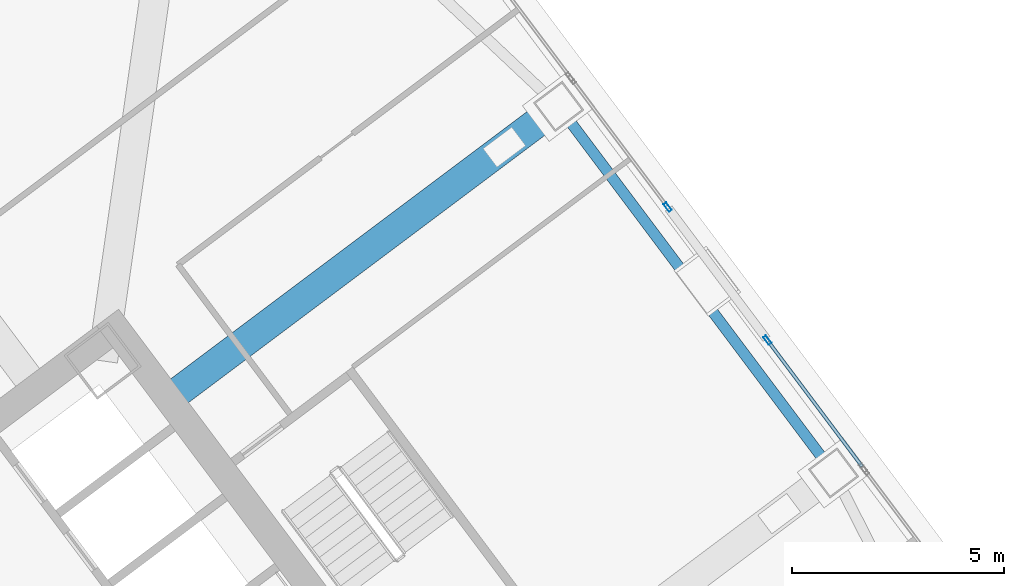
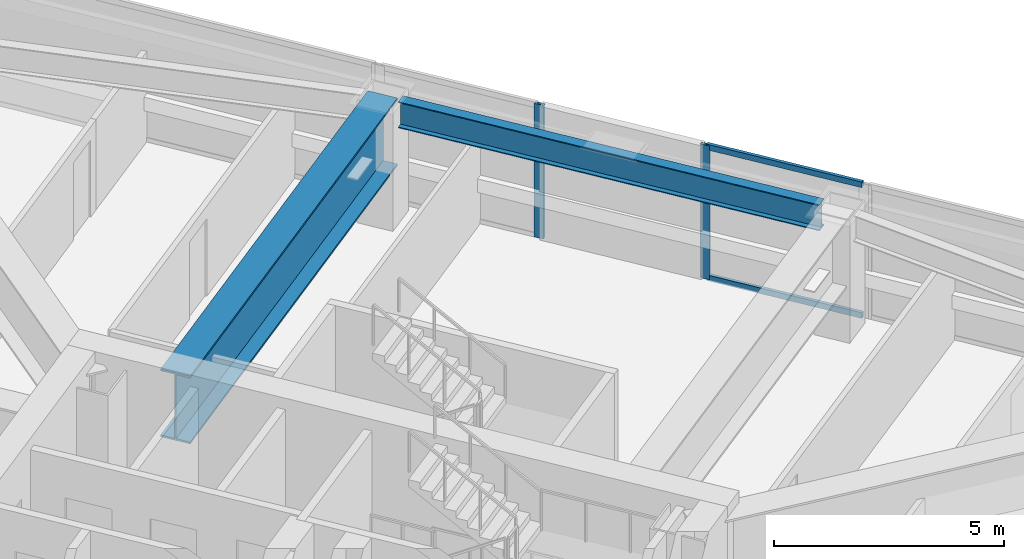
# One storey, part 32 of 49: 4 members, 2 beams, 2 elements without a shape of their own.
"""IFC4 building model written with IfcOpenShell, lengths in metres."""

import ifcopenshell
import ifcopenshell.guid

model = None  # the IFC model being written
_history = None  # IfcOwnerHistory: only IFC2X3 demands one
_inside = {}  # id of a spatial element -> (the spatial element, [elements in it])
_under = {}  # id of a project, library or spatial element -> (it, [spatial elements below it])
_declared = {}  # id of a project -> (the project, [libraries it declares])
_typed = {}  # id of a type object -> (the type object, [elements of that type])
_made_of = {}  # id of a material, layer set ... -> (it, [elements and type objects made of it])


def new_model(schema):
    """Start an empty IFC model of exactly this schema.

    Asked for "IFC4X3", IfcOpenShell would pick the latest addendum, in which some entities
    have other attributes; the version numbers below select the first issue.
    IFC2X3 requires an IfcOwnerHistory on every rooted entity: one is made here for all.
    """
    global model, _history
    if schema == "IFC4X3":
        model = ifcopenshell.file(schema_version=(4, 3, 0, 0))
    else:
        model = ifcopenshell.file(schema=schema)
    _inside.clear()
    _under.clear()
    _declared.clear()
    _typed.clear()
    _made_of.clear()
    _history = None
    if model.schema == "IFC2X3":
        org = make("IfcOrganization", Name="unknown")
        user = make(
            "IfcPersonAndOrganization",
            ThePerson=make("IfcPerson", FamilyName="unknown"),
            TheOrganization=org,
        )
        app = make(
            "IfcApplication",
            ApplicationDeveloper=org,
            Version="unknown",
            ApplicationFullName="unknown",
            ApplicationIdentifier="unknown",
        )
        _history = make(
            "IfcOwnerHistory",
            OwningUser=user,
            OwningApplication=app,
            ChangeAction="ADDED",
            CreationDate=0,
        )
    return model


def make(cls, **values):
    """One entity of the class cls with the attributes given. An attribute that is None is left unset."""
    return model.create_entity(
        cls, **{name: value for name, value in values.items() if value is not None}
    )


def rooted(cls, **values):
    """An entity with a GlobalId (a new one), such as an element, a storey or a relation."""
    return make(cls, GlobalId=ifcopenshell.guid.new(), OwnerHistory=_history, **values)


def si_unit(unit_type, name, prefix=None):
    """IfcSIUnit, for example si_unit("LENGTHUNIT", "METRE", prefix="MILLI")."""
    return make("IfcSIUnit", UnitType=unit_type, Prefix=prefix, Name=name)


def assignment(units):
    """IfcUnitAssignment: the units of a project."""
    return None if units is None else make("IfcUnitAssignment", Units=units)


def point(xyz):
    """IfcCartesianPoint."""
    return None if xyz is None else make("IfcCartesianPoint", Coordinates=xyz)


def direction(xyz):
    """IfcDirection."""
    return None if xyz is None else make("IfcDirection", DirectionRatios=xyz)


def frame(location, z_axis=None, x_axis=None):
    """IfcAxis2Placement3D, a coordinate frame: its origin and axes. An axis left out is left unset."""
    return make(
        "IfcAxis2Placement3D",
        Location=point(location),
        Axis=direction(z_axis),
        RefDirection=direction(x_axis),
    )


def frame_2d(location, x_axis=None):
    """IfcAxis2Placement2D, a coordinate frame in the plane: its origin and x axis."""
    return make(
        "IfcAxis2Placement2D", Location=point(location), RefDirection=direction(x_axis)
    )


def origin():
    """The frame at (0, 0, 0) with its axes left unset."""
    return frame((0.0, 0.0, 0.0))


def origin_2d():
    """The frame at (0, 0) in the plane with its x axis left unset."""
    return frame_2d((0.0, 0.0))


def place(relative_to, where):
    """IfcLocalPlacement: puts the frame where relative to a parent placement (None: the world)."""
    return make(
        "IfcLocalPlacement", PlacementRelTo=relative_to, RelativePlacement=where
    )


def context(
    kind, dimensions, precision=None, world=None, true_north=None, identifier=None
):
    """IfcGeometricRepresentationContext, for example the 3D "Model" context."""
    return make(
        "IfcGeometricRepresentationContext",
        ContextIdentifier=identifier,
        ContextType=kind,
        CoordinateSpaceDimension=dimensions,
        Precision=precision,
        WorldCoordinateSystem=world,
        TrueNorth=true_north,
    )


def subcontext(parent, identifier, kind, view, scale=None):
    """IfcGeometricRepresentationSubContext, for example "Body" below "Model"."""
    return make(
        "IfcGeometricRepresentationSubContext",
        ContextIdentifier=identifier,
        ContextType=kind,
        ParentContext=parent,
        TargetScale=scale,
        TargetView=view,
    )


def project(units=None, contexts=None):
    """IfcProject with its units and contexts."""
    return rooted(
        "IfcProject",
        Name="project",
        RepresentationContexts=contexts,
        UnitsInContext=assignment(units),
    )


def spatial(cls, under=None, at=None, **own):
    """A site, building, storey or space (cls), placed at a placement, below another one or the project."""
    s = rooted(cls, ObjectPlacement=at, **own)
    if under is not None:
        _under.setdefault(under.id(), (under, []))[1].append(s)
    return s


def profile(cls, at=None, kind="AREA", **sizes):
    """A parametric profile (cls). Its sizes go by their IFC names, for example OverallWidth=200.0."""
    return make(cls, ProfileType=kind, Position=at, **sizes)


def hollow_rectangle(**sizes):
    """IfcRectangleHollowProfileDef."""
    return profile("IfcRectangleHollowProfileDef", **sizes)


def i_section(**sizes):
    """IfcIShapeProfileDef."""
    return profile("IfcIShapeProfileDef", **sizes)


def extrude(swept, where, along, depth):
    """IfcExtrudedAreaSolid: the profile swept, set in the frame where, extruded along a direction by depth."""
    return make(
        "IfcExtrudedAreaSolid",
        SweptArea=swept,
        Position=where,
        ExtrudedDirection=direction(along),
        Depth=depth,
    )


def shape(context_of_items, identifier, shape_type, items):
    """IfcShapeRepresentation: the items that make up one representation, for example the "Body"."""
    return make(
        "IfcShapeRepresentation",
        ContextOfItems=context_of_items,
        RepresentationIdentifier=identifier,
        RepresentationType=shape_type,
        Items=items,
    )


def material(Name=None, Category=None):
    """IfcMaterial."""
    return make("IfcMaterial", Name=Name, Category=Category)


def material_profile(
    of_material, cross_section, Name=None, Category=None, Priority=None
):
    """IfcMaterialProfile: a cross section and its material."""
    return make(
        "IfcMaterialProfile",
        Name=Name,
        Material=of_material,
        Profile=cross_section,
        Priority=Priority,
        Category=Category,
    )


def profile_set(profiles, Name=None, composite=None):
    """IfcMaterialProfileSet."""
    return make(
        "IfcMaterialProfileSet",
        Name=Name,
        MaterialProfiles=profiles,
        CompositeProfile=composite,
    )


def made_of(thing, what):
    """Note that an element or type object is made of a material, layer set ...; save() writes the relation."""
    if what is not None:
        _made_of.setdefault(what.id(), (what, []))[1].append(thing)
    return thing


def type_object(cls, material=None, **own):
    """A type object (cls), such as IfcWallType, which elements share."""
    return made_of(rooted(cls, **own), material)


def element(
    cls,
    number,
    at=None,
    inside=None,
    cuts=None,
    type_object=None,
    material=None,
    context=None,
    identifier="Body",
    shape_type=None,
    held_by="IfcProductDefinitionShape",
    body=None,
    shapes=None,
    **own,
):
    """One element of the class cls, such as IfcWall. Its Tag is "e" and its number.

    at: its placement. inside: the storey or other place that contains it. cuts: it is an
    opening in that element (IfcRelVoidsElement). A single representation is given by context,
    identifier, shape_type and body (its items); several are given by shapes. held_by: the class
    of the entity that holds the representations. save() writes the other relations.
    """
    e = rooted(cls, Tag="e%d" % number, ObjectPlacement=at, **own)
    if body is not None:
        shapes = [shape(context, identifier, shape_type, body)]
    if shapes is not None:
        e.Representation = make(held_by, Representations=shapes)
    if inside is not None:
        _inside.setdefault(inside.id(), (inside, []))[1].append(e)
    if cuts is not None:
        rooted(
            "IfcRelVoidsElement", RelatingBuildingElement=cuts, RelatedOpeningElement=e
        )
    if type_object is not None:
        _typed.setdefault(type_object.id(), (type_object, []))[1].append(e)
    return made_of(e, material)


def aggregate(whole, parts):
    """IfcRelAggregates: a whole, such as a stair, and the parts it consists of."""
    return rooted("IfcRelAggregates", RelatingObject=whole, RelatedObjects=parts)


def save(model, path):
    """Write the relations noted so far, then the file.

    IfcRelAggregates (storeys below a building ...), IfcRelContainedInSpatialStructure (elements
    in a storey), IfcRelDefinesByType, IfcRelAssociatesMaterial and IfcRelDeclares: one each for
    every whole, place, type object, material and project.
    """
    for whole, parts in _under.values():
        aggregate(whole, parts)
    for where, things in _inside.values():
        rooted(
            "IfcRelContainedInSpatialStructure",
            RelatedElements=things,
            RelatingStructure=where,
        )
    for kind, things in _typed.values():
        rooted("IfcRelDefinesByType", RelatedObjects=things, RelatingType=kind)
    for what, things in _made_of.values():
        rooted("IfcRelAssociatesMaterial", RelatedObjects=things, RelatingMaterial=what)
    for by, libraries in _declared.values():
        rooted("IfcRelDeclares", RelatingContext=by, RelatedDefinitions=libraries)
    model.write(path)


model = new_model("IFC4")

# Units and contexts
model_context = context("Model", 3, precision=1e-05, world=origin(), true_north=direction((0.0, 1.0)))
body_context = subcontext(model_context, "Body", "Model", "MODEL_VIEW")
ifc_project = project(units=[si_unit("LENGTHUNIT", "METRE"), si_unit("AREAUNIT", "SQUARE_METRE"), si_unit("VOLUMEUNIT", "CUBIC_METRE"), si_unit("PLANEANGLEUNIT", "RADIAN"), si_unit("MASSUNIT", "GRAM", prefix="KILO")], contexts=[model_context])

# Site, building, storey
site_placement = place(None, origin())
site = spatial("IfcSite", under=ifc_project, at=site_placement, CompositionType="ELEMENT")
building_placement = place(site_placement, origin())
building = spatial("IfcBuilding", under=site, at=building_placement, Name="Tashvorn Skyway Center", CompositionType="ELEMENT")
storey_placement = place(building_placement, frame((0.0, 0.0, 106.25)))
storey = spatial("IfcBuildingStorey", under=building, at=storey_placement, Name="L28", CompositionType="ELEMENT", Elevation=106.25)

# Beams
ifc_material_1 = material(Name="Steel ASTM A572 Grade 50", Category="steel")
ifc_material_profile_1 = material_profile(ifc_material_1, i_section(OverallWidth=0.699951171875, OverallDepth=1.800048828125, WebThickness=0.031982421875, FlangeThickness=0.050048828125, at=origin_2d()), Name="PG1800x700")
ifc_profile_set_1 = profile_set([ifc_material_profile_1], Name="Steel ASTM A572 Grade 50")
beam_type_1 = type_object("IfcBeamType", Name="BM-BEAM-PG1800x700", PredefinedType="BEAM", material=ifc_profile_set_1)
beam_1_placement = place(storey_placement, frame((126.159912109375, 47.8701171875, 2.35009765625), z_axis=(-0.79999744579, -0.600003405598, 0.0), x_axis=(0.600003405598, -0.79999744579, 0.0)))
element("IfcBeam", 1, at=beam_1_placement, inside=storey, type_object=beam_type_1, Name="Tower 2 L28 Setback Transfer Girder FC-E2", PredefinedType="BEAM", context=body_context, shape_type="SweptSolid", body=[
    extrude(i_section(OverallWidth=0.699951171875, OverallDepth=1.800048828125, WebThickness=0.031982421875, FlangeThickness=0.050048828125, at=origin_2d()), origin(), (0.0, 0.0, 1.0), 11.469970703125),
])
ifc_material_2 = material(Name="Steel ASTM A992 Grade 50", Category="steel")
ifc_material_profile_2 = material_profile(ifc_material_2, i_section(OverallWidth=0.256103515625, OverallDepth=0.693115234375, WebThickness=0.014404296875, FlangeThickness=0.023681640625, at=origin_2d()), Name="W27X114")
ifc_profile_set_2 = profile_set([ifc_material_profile_2], Name="Steel ASTM A992 Grade 50")
beam_type_2 = type_object("IfcBeamType", Name="BM-SPANDREL-W27X114", PredefinedType="SPANDREL", material=ifc_profile_set_2)
beam_2_placement = place(storey_placement, frame((132.387939453125, 39.56591796875, 2.903564453125), z_axis=(-0.599988234018, 0.800008824351, 0.0), x_axis=(-0.800008824351, -0.599988234018, 0.0)))
element("IfcBeam", 2, at=beam_2_placement, inside=storey, type_object=beam_type_2, Name="Tower 2 L28 Spandrel Beam 05", PredefinedType="SPANDREL", context=body_context, shape_type="SweptSolid", body=[
    extrude(i_section(OverallWidth=0.256103515625, OverallDepth=0.693115234375, WebThickness=0.014404296875, FlangeThickness=0.023681640625, at=origin_2d()), origin(), (0.0, 0.0, 1.0), 9.9599609375),
])

# Curtain wall, member
ifc_material_3 = material(Name="Thermally broken bronze-anodized aluminium 6063-T6", Category="aluminium")
curtain_wall_type = type_object("IfcCurtainWallType", Name="CW-CW-Z2", PredefinedType="NOTDEFINED", material=ifc_material_3)
curtain_wall_1_placement = place(storey_placement, origin())
curtain_wall_1 = element("IfcCurtainWall", 3, at=curtain_wall_1_placement, inside=storey, type_object=curtain_wall_type, Name="Tower 2 L28 East Unitised Curtain Wall Glazing Group 2", PredefinedType="NOTDEFINED")
ifc_material_profile_3 = material_profile(ifc_material_3, hollow_rectangle(XDim=0.080078125, YDim=0.219970703125, WallThickness=0.0048828125, at=origin_2d()), Name="ALU-MULL-80x220")
ifc_profile_set_3 = profile_set([ifc_material_profile_3], Name="Thermally broken bronze-anodized aluminium 6063-T6")
member_type_1 = type_object("IfcMemberType", Name="CWM-CW-Z2", PredefinedType="MULLION", material=ifc_profile_set_3)
member_1_placement = place(storey_placement, frame((128.72802734375, 45.49609375, 0.0), z_axis=(0.0, 0.0, 1.0), x_axis=(0.799999999998, 0.600000000002, 0.0)))
member_1 = element("IfcMember", 4, at=member_1_placement, type_object=member_type_1, Name="CW-Z2 mullion 2", PredefinedType="MULLION", context=body_context, shape_type="SweptSolid", body=[
    extrude(hollow_rectangle(XDim=0.080078125, YDim=0.219970703125, WallThickness=0.0048828125, at=origin_2d()), origin(), (0.0, 0.0, 1.0), 3.550048828125),
])
aggregate(curtain_wall_1, [member_1])

# Curtain wall, members
curtain_wall_2_placement = place(storey_placement, origin())
curtain_wall_2 = element("IfcCurtainWall", 5, at=curtain_wall_2_placement, inside=storey, type_object=curtain_wall_type, Name="Tower 2 L28 East Unitised Curtain Wall Glazing Group 3", PredefinedType="NOTDEFINED")
member_2_placement = place(storey_placement, frame((131.080078125, 42.360107421875, 0.0), z_axis=(0.0, 0.0, 1.0), x_axis=(0.799999999998, 0.600000000002, 0.0)))
member_2 = element("IfcMember", 6, at=member_2_placement, type_object=member_type_1, Name="CW-Z2 mullion 1", PredefinedType="MULLION", context=body_context, shape_type="SweptSolid", body=[
    extrude(hollow_rectangle(XDim=0.080078125, YDim=0.219970703125, WallThickness=0.0048828125, at=origin_2d()), origin(), (0.0, 0.0, 1.0), 3.550048828125),
])
ifc_material_profile_4 = material_profile(ifc_material_3, hollow_rectangle(XDim=0.080078125, YDim=0.14990234375, WallThickness=0.00439453125, at=origin_2d()), Name="ALU-TRAN-80x150")
ifc_profile_set_4 = profile_set([ifc_material_profile_4], Name="Thermally broken bronze-anodized aluminium 6063-T6")
member_type_2 = type_object("IfcMemberType", Name="CWT-CW-Z2", PredefinedType="USERDEFINED", material=ifc_profile_set_4)
member_3_placement = place(storey_placement, frame((131.10400390625, 42.327880859375, 0.0400390625), z_axis=(0.600021230084, -0.799984076997, 0.0), x_axis=(0.799984076997, 0.600021230084, 0.0)))
member_3 = element("IfcMember", 7, at=member_3_placement, type_object=member_type_2, Name="CW-Z2 transom 1.1", ObjectType="TRANSOM", PredefinedType="USERDEFINED", context=body_context, shape_type="SweptSolid", body=[
    extrude(hollow_rectangle(XDim=0.080078125, YDim=0.14990234375, WallThickness=0.00439453125, at=origin_2d()), origin(), (0.0, 0.0, 1.0), 3.679931640625),
])
member_4_placement = place(storey_placement, frame((131.10400390625, 42.327880859375, 3.510009765625), z_axis=(0.600021230084, -0.799984076997, 0.0), x_axis=(0.799984076997, 0.600021230084, 0.0)))
member_4 = element("IfcMember", 8, at=member_4_placement, type_object=member_type_2, Name="CW-Z2 transom 1.2", ObjectType="TRANSOM", PredefinedType="USERDEFINED", context=body_context, shape_type="SweptSolid", body=[
    extrude(hollow_rectangle(XDim=0.080078125, YDim=0.14990234375, WallThickness=0.00439453125, at=origin_2d()), origin(), (0.0, 0.0, 1.0), 3.679931640625),
])
aggregate(curtain_wall_2, [member_2, member_3, member_4])

save(model, "model.ifc")
